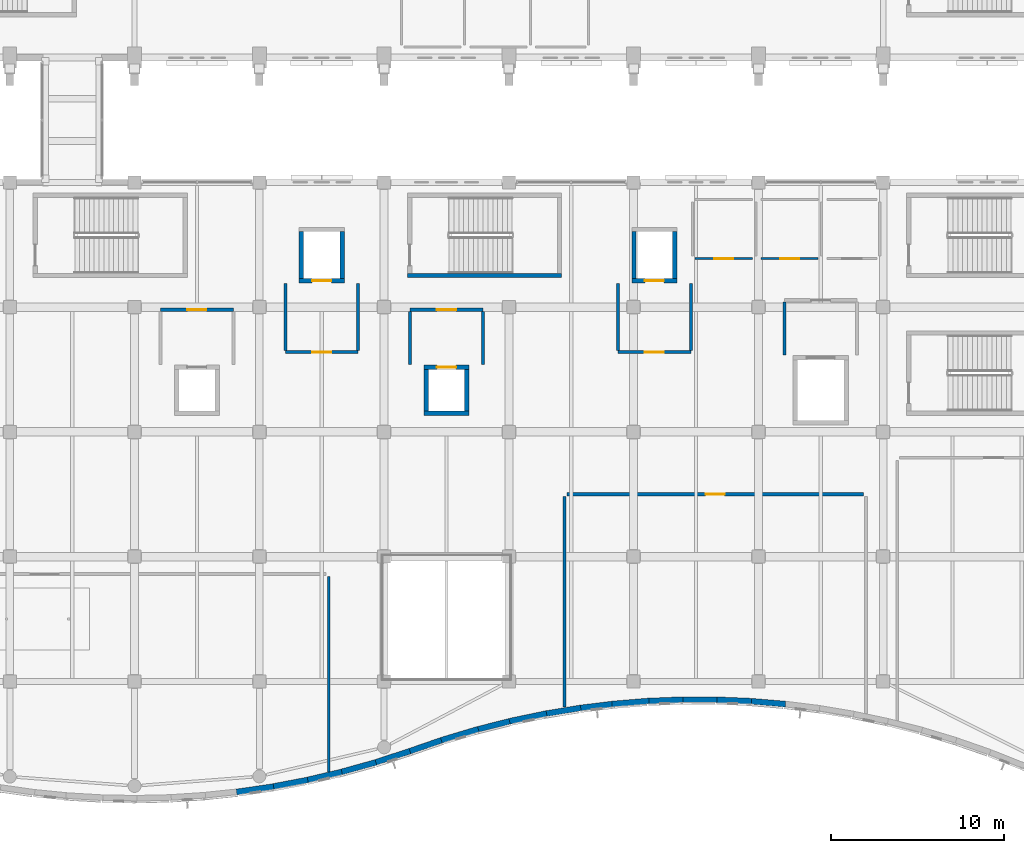
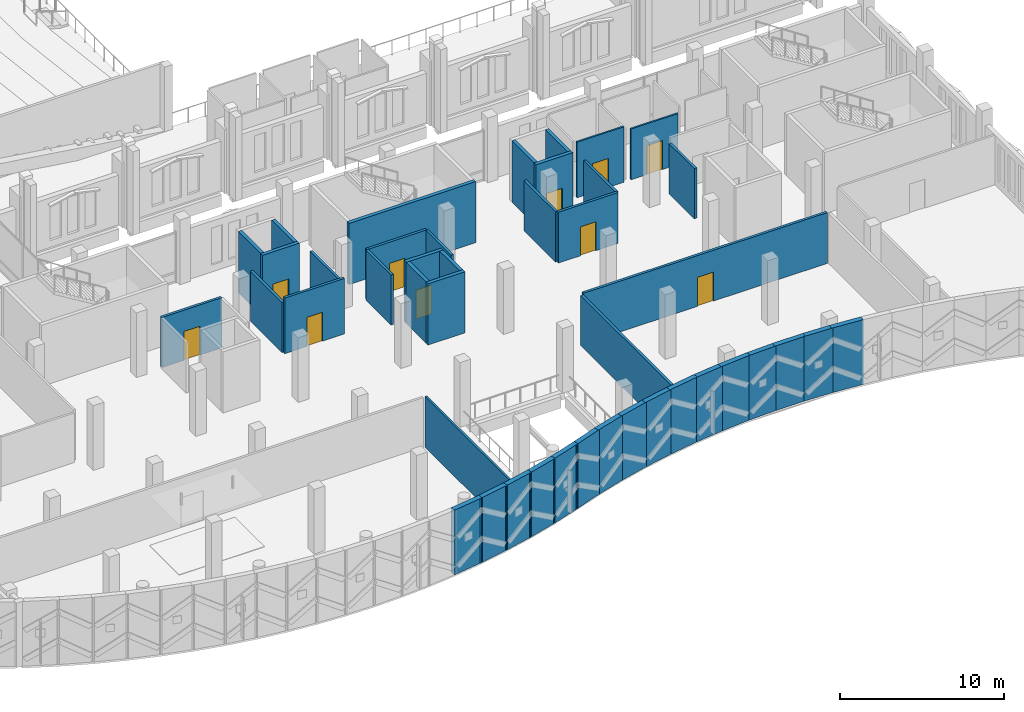
# One storey, part 141 of 193: 43 walls, 10 doors, 10 openings.
"""IFC4 building model written with IfcOpenShell, lengths in metres."""

from ifc_helpers import new_model, si_unit, direction, frame, frame_2d, origin, place, context, subcontext, project, spatial, rectangle, extrude, material, layer, layer_set, type_object, element, fill, save


model = new_model("IFC4")

# Units and contexts
model_context = context("Model", 3, precision=1e-05, world=origin(), true_north=direction((0.0, 1.0)))
body_context = subcontext(model_context, "Body", "Model", "MODEL_VIEW")
ifc_project = project(units=[si_unit("LENGTHUNIT", "METRE"), si_unit("AREAUNIT", "SQUARE_METRE"), si_unit("VOLUMEUNIT", "CUBIC_METRE"), si_unit("PLANEANGLEUNIT", "RADIAN"), si_unit("MASSUNIT", "GRAM", prefix="KILO")], contexts=[model_context])

# Site, building, storey
site_placement = place(None, origin())
site = spatial("IfcSite", under=ifc_project, at=site_placement, CompositionType="ELEMENT")
building_placement = place(site_placement, origin())
building = spatial("IfcBuilding", under=site, at=building_placement, Name="Cendralis Lancet Convention Centre", CompositionType="ELEMENT")
storey_placement = place(building_placement, frame((0.0, 0.0, 10.199951171875)))
storey = spatial("IfcBuildingStorey", under=building, at=storey_placement, Name="L02", CompositionType="ELEMENT", Elevation=10.199951171875)

# Walls
ifc_material_1 = material(Name="Buff sandstone ashlar and Concrete G40 (C40/50)", Category="masonry")
ifc_layer_1 = layer(ifc_material_1, 0.340087890625, Name="Buff sandstone ashlar and Concrete G40 (C40/50)")
ifc_layer_set_1 = layer_set([ifc_layer_1], Name="Buff sandstone ashlar and Concrete G40 (C40/50)")
wall_type_1 = type_object("IfcWallType", Name="ARC-EW-W340", PredefinedType="STANDARD", material=ifc_layer_set_1)
wall_1_placement = place(storey_placement, frame((159.48486328125, 0.816650390625, 0.0), z_axis=(0.0, 0.0, 1.0), x_axis=(0.989332324203, 0.145676189844, 0.0)))
element("IfcWall", 1, at=wall_1_placement, inside=storey, type_object=wall_type_1, Name="South Boulevard Wave Wall L02 WP-081-WP-082", PredefinedType="STANDARD", context=body_context, shape_type="SweptSolid", body=[
    extrude(rectangle(XDim=2.16015625, YDim=0.340087890625, at=frame_2d((1.080078125, 0.0))), origin(), (0.0, 0.0, 1.0), 4.800048828125),
])
wall_2_placement = place(storey_placement, frame((161.45458984375, 1.10302734375, 0.0), z_axis=(0.0, 0.0, 1.0), x_axis=(0.982343477653, 0.187086322089, 0.0)))
element("IfcWall", 2, at=wall_2_placement, inside=storey, type_object=wall_type_1, Name="South Boulevard Wave Wall L02 WP-082-WP-083", PredefinedType="STANDARD", context=body_context, shape_type="SweptSolid", body=[
    extrude(rectangle(XDim=2.17529296875, YDim=0.340087890625, at=frame_2d((1.087646484375, 0.0))), origin(), (0.0, 0.0, 1.0), 4.800048828125),
])
wall_3_placement = place(storey_placement, frame((163.42529296875, 1.474609375, 0.0), z_axis=(0.0, 0.0, 1.0), x_axis=(0.973669248069, 0.227965338076, 0.0)))
element("IfcWall", 3, at=wall_3_placement, inside=storey, type_object=wall_type_1, Name="South Boulevard Wave Wall L02 WP-083-WP-084", PredefinedType="STANDARD", context=body_context, shape_type="SweptSolid", body=[
    extrude(rectangle(XDim=2.192138671875, YDim=0.340087890625, at=frame_2d((1.09619140625, 0.0))), origin(), (0.0, 0.0, 1.0), 4.800048828125),
])
wall_4_placement = place(storey_placement, frame((165.39501953125, 1.93212890625, 0.0), z_axis=(0.0, 0.0, 1.0), x_axis=(0.963137862503, 0.269008285772, 0.0)))
element("IfcWall", 4, at=wall_4_placement, inside=storey, type_object=wall_type_1, Name="South Boulevard Wave Wall L02 WP-084-WP-085", PredefinedType="STANDARD", context=body_context, shape_type="SweptSolid", body=[
    extrude(rectangle(XDim=2.21435546875, YDim=0.340087890625, at=frame_2d((1.107177734375, 0.0))), origin(), (0.0, 0.0, 1.0), 4.800048828125),
])
wall_5_placement = place(storey_placement, frame((167.365234375, 2.478759765625, 0.0), z_axis=(0.0, 0.0, 1.0), x_axis=(0.950754268652, 0.309945673692, 0.0)))
element("IfcWall", 5, at=wall_5_placement, inside=storey, type_object=wall_type_1, Name="South Boulevard Wave Wall L02 WP-085-WP-086", PredefinedType="STANDARD", context=body_context, shape_type="SweptSolid", body=[
    extrude(rectangle(XDim=2.240966796875, YDim=0.340087890625, at=frame_2d((1.12060546875, 0.0))), origin(), (0.0, 0.0, 1.0), 4.800048828125),
])
wall_6_placement = place(storey_placement, frame((169.334716796875, 3.119384765625, 0.0), z_axis=(0.0, 0.0, 1.0), x_axis=(0.945416720516, 0.325863812916, 0.0)))
element("IfcWall", 6, at=wall_6_placement, inside=storey, type_object=wall_type_1, Name="South Boulevard Wave Wall L02 WP-086-WP-087", PredefinedType="STANDARD", context=body_context, shape_type="SweptSolid", body=[
    extrude(rectangle(XDim=2.253662109375, YDim=0.340087890625, at=frame_2d((1.126953125, 0.0))), origin(), (0.0, 0.0, 1.0), 4.800048828125),
])
wall_7_placement = place(storey_placement, frame((171.3037109375, 3.801513671875, 0.0), z_axis=(0.0, 0.0, 1.0), x_axis=(0.957895707977, 0.287116374731, 0.0)))
element("IfcWall", 7, at=wall_7_placement, inside=storey, type_object=wall_type_1, Name="South Boulevard Wave Wall L02 WP-087-WP-088", PredefinedType="STANDARD", context=body_context, shape_type="SweptSolid", body=[
    extrude(rectangle(XDim=2.225341796875, YDim=0.340087890625, at=frame_2d((1.11279296875, 0.0))), origin(), (0.0, 0.0, 1.0), 4.800048828125),
])
wall_8_placement = place(storey_placement, frame((173.271484375, 4.39501953125, 0.0), z_axis=(0.0, 0.0, 1.0), x_axis=(0.969229089559, 0.246160459767, 0.0)))
element("IfcWall", 8, at=wall_8_placement, inside=storey, type_object=wall_type_1, Name="South Boulevard Wave Wall L02 WP-088-WP-089", PredefinedType="STANDARD", context=body_context, shape_type="SweptSolid", body=[
    extrude(rectangle(XDim=2.201904296875, YDim=0.340087890625, at=frame_2d((1.10107421875, 0.0))), origin(), (0.0, 0.0, 1.0), 4.800048828125),
])
wall_9_placement = place(storey_placement, frame((175.23974609375, 4.898681640625, 0.0), z_axis=(0.0, 0.0, 1.0), x_axis=(0.978807841966, 0.20478087925, 0.0)))
element("IfcWall", 9, at=wall_9_placement, inside=storey, type_object=wall_type_1, Name="South Boulevard Wave Wall L02 WP-089-WP-090", PredefinedType="STANDARD", context=body_context, shape_type="SweptSolid", body=[
    extrude(rectangle(XDim=2.181640625, YDim=0.340087890625, at=frame_2d((1.0908203125, 0.0))), origin(), (0.0, 0.0, 1.0), 4.800048828125),
])
wall_10_placement = place(storey_placement, frame((177.2080078125, 5.314208984375, 0.0), z_axis=(0.0, 0.0, 1.0), x_axis=(0.986512410096, 0.163686483027, 0.0)))
element("IfcWall", 10, at=wall_10_placement, inside=storey, type_object=wall_type_1, Name="South Boulevard Wave Wall L02 WP-090-WP-091", PredefinedType="STANDARD", context=body_context, shape_type="SweptSolid", body=[
    extrude(rectangle(XDim=2.167236328125, YDim=0.340087890625, at=frame_2d((1.08349609375, 0.0))), origin(), (0.0, 0.0, 1.0), 4.800048828125),
])
wall_11_placement = place(storey_placement, frame((179.177490234375, 5.64453125, 0.0), z_axis=(0.0, 0.0, 1.0), x_axis=(0.992466764456, 0.122514168366, 0.0)))
element("IfcWall", 11, at=wall_11_placement, inside=storey, type_object=wall_type_1, Name="South Boulevard Wave Wall L02 WP-091-WP-092", PredefinedType="STANDARD", context=body_context, shape_type="SweptSolid", body=[
    extrude(rectangle(XDim=2.154052734375, YDim=0.340087890625, at=frame_2d((1.0771484375, 0.0))), origin(), (0.0, 0.0, 1.0), 4.800048828125),
])
wall_12_placement = place(storey_placement, frame((181.146240234375, 5.89111328125, 0.0), z_axis=(0.0, 0.0, 1.0), x_axis=(0.996638509986, 0.081924846123, 0.0)))
element("IfcWall", 12, at=wall_12_placement, inside=storey, type_object=wall_type_1, Name="South Boulevard Wave Wall L02 WP-092-WP-093", PredefinedType="STANDARD", context=body_context, shape_type="SweptSolid", body=[
    extrude(rectangle(XDim=2.145751953125, YDim=0.340087890625, at=frame_2d((1.07275390625, 0.0))), origin(), (0.0, 0.0, 1.0), 4.800048828125),
])
wall_13_placement = place(storey_placement, frame((183.114990234375, 6.056396484375, 0.0), z_axis=(0.0, 0.0, 1.0), x_axis=(0.999170801248, 0.040714984139, 0.0)))
element("IfcWall", 13, at=wall_13_placement, inside=storey, type_object=wall_type_1, Name="South Boulevard Wave Wall L02 WP-093-WP-094", PredefinedType="STANDARD", context=body_context, shape_type="SweptSolid", body=[
    extrude(rectangle(XDim=2.140625, YDim=0.340087890625, at=frame_2d((1.0703125, 0.0))), origin(), (0.0, 0.0, 1.0), 4.800048828125),
])
wall_14_placement = place(storey_placement, frame((185.083984375, 6.139892578125, 0.0), z_axis=(0.0, 0.0, 1.0), x_axis=(1.0, 0.0, 0.0)))
element("IfcWall", 14, at=wall_14_placement, inside=storey, type_object=wall_type_1, Name="South Boulevard Wave Wall L02 WP-094-WP-095", PredefinedType="STANDARD", context=body_context, shape_type="SweptSolid", body=[
    extrude(rectangle(XDim=2.138916015625, YDim=0.340087890625, at=frame_2d((1.0693359375, 0.0))), origin(), (0.0, 0.0, 1.0), 4.800048828125),
])
wall_15_placement = place(storey_placement, frame((187.052978515625, 6.1435546875, 0.0), z_axis=(0.0, 0.0, 1.0), x_axis=(0.999134060604, -0.041606837663, 0.0)))
element("IfcWall", 15, at=wall_15_placement, inside=storey, type_object=wall_type_1, Name="South Boulevard Wave Wall L02 WP-095-WP-096", PredefinedType="STANDARD", context=body_context, shape_type="SweptSolid", body=[
    extrude(rectangle(XDim=2.141845703125, YDim=0.340087890625, at=frame_2d((1.07080078125, 0.0))), origin(), (0.0, 0.0, 1.0), 4.800048828125),
])
wall_16_placement = place(storey_placement, frame((189.023193359375, 6.06494140625, 0.0), z_axis=(0.0, 0.0, 1.0), x_axis=(0.996591899747, -0.082489910642, 0.0)))
element("IfcWall", 16, at=wall_16_placement, inside=storey, type_object=wall_type_1, Name="South Boulevard Wave Wall L02 WP-096-WP-097", PredefinedType="STANDARD", context=body_context, shape_type="SweptSolid", body=[
    extrude(rectangle(XDim=2.145751953125, YDim=0.340087890625, at=frame_2d((1.07275390625, 0.0))), origin(), (0.0, 0.0, 1.0), 4.800048828125),
])

# Wall, opening, door
ifc_material_2 = material(Name="Acoustic fire-rated gypsum board on steel studs", Category="steel")
ifc_layer_2 = layer(ifc_material_2, 0.1201171875, Name="Acoustic fire-rated gypsum board on steel studs")
ifc_layer_set_2 = layer_set([ifc_layer_2], Name="Acoustic fire-rated gypsum board on steel studs")
wall_type_2 = type_object("IfcWallType", Name="ARC-IW-P120", PredefinedType="PARTITIONING", material=ifc_layer_set_2)
wall_17_placement = place(storey_placement, frame((185.949951171875, 31.60009765625, 0.0), z_axis=(0.0, 0.0, 1.0), x_axis=(1.0, 0.0, 0.0)))
wall_17 = element("IfcWall", 17, at=wall_17_placement, inside=storey, type_object=wall_type_2, Name="L02 Interior Partition IW-05 #0395", PredefinedType="PARTITIONING", context=body_context, shape_type="SweptSolid", body=[
    extrude(rectangle(XDim=3.300048828125, YDim=0.1201171875, at=frame_2d((1.64990234375, 0.0))), origin(), (0.0, 0.0, 1.0), 4.125),
])
opening_1_placement = place(wall_17_placement, frame((1.10009765625, 0.0, 0.0)))
opening_1 = element("IfcOpeningElement", 18, at=opening_1_placement, cuts=wall_17, Name="Opening FD-11", PredefinedType="OPENING", context=body_context, shape_type="SweptSolid", body=[
    extrude(rectangle(XDim=1.10009765625, YDim=2.14990234375, at=frame_2d((0.550048828125, 1.074951171875))), frame((0.0, 0.070068359375, 0.0), z_axis=(0.0, -1.0, 0.0), x_axis=(1.0, 0.0, 0.0)), (0.0, 0.0, 1.0), 0.14013671875),
])
ifc_material_3 = material(Name="Steel S355", Category="steel")
door_type_1 = type_object("IfcDoorType", Name="ARC-DR-FF11", OperationType="NOTDEFINED", PredefinedType="DOOR", material=ifc_material_3)
door_1_placement = place(opening_1_placement, frame((1.10009765625, 0.0, 0.0), z_axis=(0.0, 0.0, 1.0), x_axis=(-1.0, 0.0, 0.0)))
door_1 = element("IfcDoor", 19, at=door_1_placement, inside=storey, type_object=door_type_1, Name="L02-D025 L02 Interior Door FD-11 #0135", OperationType="SINGLE_SWING_LEFT", OverallHeight=2.14990234375, OverallWidth=1.10009765625, PredefinedType="DOOR", context=body_context, shape_type="SweptSolid", body=[
    extrude(rectangle(XDim=1.10009765625, YDim=2.14990234375, at=frame_2d((0.550048828125, 1.074951171875))), frame((0.0, 0.02490234375, 0.0), z_axis=(0.0, -1.0, 0.0), x_axis=(1.0, 0.0, 0.0)), (0.0, 0.0, 1.0), 0.050048828125),
])
fill(opening_1, door_1)

wall_18_placement = place(storey_placement, frame((189.75, 31.60009765625, 0.0), z_axis=(0.0, 0.0, 1.0), x_axis=(1.0, 0.0, 0.0)))
wall_18 = element("IfcWall", 20, at=wall_18_placement, inside=storey, type_object=wall_type_2, Name="L02 Interior Partition IW-05 #0399", PredefinedType="PARTITIONING", context=body_context, shape_type="SweptSolid", body=[
    extrude(rectangle(XDim=3.300048828125, YDim=0.1201171875, at=frame_2d((1.64990234375, 0.0))), origin(), (0.0, 0.0, 1.0), 3.775146484375),
])
opening_2_placement = place(wall_18_placement, frame((1.10009765625, 0.0, 0.0)))
opening_2 = element("IfcOpeningElement", 21, at=opening_2_placement, cuts=wall_18, Name="Opening FD-11", PredefinedType="OPENING", context=body_context, shape_type="SweptSolid", body=[
    extrude(rectangle(XDim=1.10009765625, YDim=2.14990234375, at=frame_2d((0.550048828125, 1.074951171875))), frame((0.0, 0.070068359375, 0.0), z_axis=(0.0, -1.0, 0.0), x_axis=(1.0, 0.0, 0.0)), (0.0, 0.0, 1.0), 0.14013671875),
])
door_2_placement = place(opening_2_placement, origin())
door_2 = element("IfcDoor", 22, at=door_2_placement, inside=storey, type_object=door_type_1, Name="L02-D026 L02 Interior Door FD-11 #0136", OperationType="SINGLE_SWING_RIGHT", OverallHeight=2.14990234375, OverallWidth=1.10009765625, PredefinedType="DOOR", context=body_context, shape_type="SweptSolid", body=[
    extrude(rectangle(XDim=1.10009765625, YDim=2.14990234375, at=frame_2d((0.550048828125, 1.074951171875))), frame((0.0, 0.02490234375, 0.0), z_axis=(0.0, -1.0, 0.0), x_axis=(1.0, 0.0, 0.0)), (0.0, 0.0, 1.0), 0.050048828125),
])
fill(opening_2, door_2)

# Wall
ifc_layer_3 = layer(ifc_material_2, 0.139892578125, Name="Acoustic fire-rated gypsum board on steel studs")
ifc_layer_set_3 = layer_set([ifc_layer_3], Name="Acoustic fire-rated gypsum board on steel studs")
wall_type_3 = type_object("IfcWallType", Name="ARC-IW-P140", PredefinedType="PARTITIONING", material=ifc_layer_set_3)
wall_19_placement = place(storey_placement, frame((164.800048828125, 1.9765625, 0.0), z_axis=(0.0, 0.0, 1.0), x_axis=(0.0, 1.0, 0.0)))
element("IfcWall", 23, at=wall_19_placement, inside=storey, type_object=wall_type_3, Name="L02 Interior Partition IW-04 #0387", PredefinedType="PARTITIONING", context=body_context, shape_type="SweptSolid", body=[
    extrude(rectangle(XDim=11.283447265625, YDim=0.139892578125, at=frame_2d((5.6416015625, 0.0))), origin(), (0.0, 0.0, 1.0), 3.775146484375),
])

# Wall, opening, door
ifc_layer_4 = layer(ifc_material_2, 0.179931640625, Name="Acoustic fire-rated gypsum board on steel studs")
ifc_layer_set_4 = layer_set([ifc_layer_4], Name="Acoustic fire-rated gypsum board on steel studs")
wall_type_4 = type_object("IfcWallType", Name="ARC-IW-P180", PredefinedType="PARTITIONING", material=ifc_layer_set_4)
wall_20_placement = place(storey_placement, frame((166.5, 26.199951171875, 0.0), z_axis=(0.0, 0.0, 1.0), x_axis=(-1.0, 0.0, 0.0)))
wall_20 = element("IfcWall", 24, at=wall_20_placement, inside=storey, type_object=wall_type_4, Name="L02 Firefighting Lift Lobby LF-01 Front Wall", PredefinedType="PARTITIONING", context=body_context, shape_type="SweptSolid", body=[
    extrude(rectangle(XDim=4.199951171875, YDim=0.179931640625, at=frame_2d((2.10009765625, 0.0))), origin(), (0.0, 0.0, 1.0), 4.125),
])
opening_3_placement = place(wall_20_placement, frame((1.550048828125, 0.0, 0.0)))
opening_3 = element("IfcOpeningElement", 25, at=opening_3_placement, cuts=wall_20, Name="Opening FD-11", PredefinedType="OPENING", context=body_context, shape_type="SweptSolid", body=[
    extrude(rectangle(XDim=1.10009765625, YDim=2.14990234375, at=frame_2d((0.550048828125, 1.074951171875))), frame((0.0, 0.099853515625, 0.0), z_axis=(0.0, -1.0, 0.0), x_axis=(1.0, 0.0, 0.0)), (0.0, 0.0, 1.0), 0.199951171875),
])
door_3_placement = place(opening_3_placement, origin())
door_3 = element("IfcDoor", 26, at=door_3_placement, inside=storey, type_object=door_type_1, Name="L02-D040 L02 Lift Lobby LF-01 Fire Door", OperationType="SINGLE_SWING_LEFT", OverallHeight=2.14990234375, OverallWidth=1.10009765625, PredefinedType="DOOR", context=body_context, shape_type="SweptSolid", body=[
    extrude(rectangle(XDim=1.10009765625, YDim=2.14990234375, at=frame_2d((0.550048828125, 1.074951171875))), frame((0.0, 0.02490234375, 0.0), z_axis=(0.0, -1.0, 0.0), x_axis=(1.0, 0.0, 0.0)), (0.0, 0.0, 1.0), 0.050048828125),
])
fill(opening_3, door_3)

# Walls
for number, where, z_axis, x_axis, name in (
    (27, (162.300048828125, 26.300048828125, 0.0), (0.0, 0.0, 1.0), (0.0, 1.0, 0.0), "L02 Lift Lobby LF-01 West Wall"),
    (28, (166.5, 26.300048828125, 0.0), (0.0, 0.0, 1.0), (0.0, 1.0, 0.0), "L02 Lift Lobby LF-01 East Wall"),
):
    element("IfcWall", number, at=place(storey_placement, frame(where, z_axis=z_axis, x_axis=x_axis)), inside=storey, type_object=wall_type_4, Name=name, PredefinedType="PARTITIONING", context=body_context, shape_type="SweptSolid", body=[
        extrude(rectangle(XDim=3.849853515625, YDim=0.179931640625, at=frame_2d((1.9248046875, 0.0))), origin(), (0.0, 0.0, 1.0), 3.72509765625),
    ])

# Wall, opening, door
wall_21_placement = place(storey_placement, frame((185.699951171875, 26.199951171875, 0.0), z_axis=(0.0, 0.0, 1.0), x_axis=(-1.0, 0.0, 0.0)))
wall_21 = element("IfcWall", 29, at=wall_21_placement, inside=storey, type_object=wall_type_4, Name="L02 Firefighting Lift Lobby LF-02 Front Wall", PredefinedType="PARTITIONING", context=body_context, shape_type="SweptSolid", body=[
    extrude(rectangle(XDim=4.199951171875, YDim=0.179931640625, at=frame_2d((2.10009765625, 0.0))), origin(), (0.0, 0.0, 1.0), 3.775146484375),
])
opening_4_placement = place(wall_21_placement, frame((1.550048828125, 0.0, 0.0)))
opening_4 = element("IfcOpeningElement", 30, at=opening_4_placement, cuts=wall_21, Name="Opening FD-11", PredefinedType="OPENING", context=body_context, shape_type="SweptSolid", body=[
    extrude(rectangle(XDim=1.10009765625, YDim=2.14990234375, at=frame_2d((0.550048828125, 1.074951171875))), frame((0.0, 0.099853515625, 0.0), z_axis=(0.0, -1.0, 0.0), x_axis=(1.0, 0.0, 0.0)), (0.0, 0.0, 1.0), 0.199951171875),
])
door_4_placement = place(opening_4_placement, origin())
door_4 = element("IfcDoor", 31, at=door_4_placement, inside=storey, type_object=door_type_1, Name="L02-D041 L02 Lift Lobby LF-02 Fire Door", OperationType="SINGLE_SWING_RIGHT", OverallHeight=2.14990234375, OverallWidth=1.10009765625, PredefinedType="DOOR", context=body_context, shape_type="SweptSolid", body=[
    extrude(rectangle(XDim=1.10009765625, YDim=2.14990234375, at=frame_2d((0.550048828125, 1.074951171875))), frame((0.0, 0.02490234375, 0.0), z_axis=(0.0, -1.0, 0.0), x_axis=(1.0, 0.0, 0.0)), (0.0, 0.0, 1.0), 0.050048828125),
])
fill(opening_4, door_4)

# Walls
for number, where, z_axis, x_axis, name in (
    (32, (181.5, 26.300048828125, 0.0), (0.0, 0.0, 1.0), (0.0, 1.0, 0.0), "L02 Lift Lobby LF-02 West Wall"),
    (33, (185.699951171875, 26.300048828125, 0.0), (0.0, 0.0, 1.0), (0.0, 1.0, 0.0), "L02 Lift Lobby LF-02 East Wall"),
):
    element("IfcWall", number, at=place(storey_placement, frame(where, z_axis=z_axis, x_axis=x_axis)), inside=storey, type_object=wall_type_4, Name=name, PredefinedType="PARTITIONING", context=body_context, shape_type="SweptSolid", body=[
        extrude(rectangle(XDim=3.849853515625, YDim=0.179931640625, at=frame_2d((1.9248046875, 0.0))), origin(), (0.0, 0.0, 1.0), 3.72509765625),
    ])

# Wall, opening, door
wall_22_placement = place(storey_placement, frame((155.10009765625, 28.64990234375, 0.0), z_axis=(0.0, 0.0, 1.0), x_axis=(1.0, 0.0, 0.0)))
wall_22 = element("IfcWall", 34, at=wall_22_placement, inside=storey, type_object=wall_type_4, Name="L02 Lift Lobby LP-01 Front Wall", PredefinedType="PARTITIONING", context=body_context, shape_type="SweptSolid", body=[
    extrude(rectangle(XDim=4.199951171875, YDim=0.179931640625, at=frame_2d((2.10009765625, 0.0))), origin(), (0.0, 0.0, 1.0), 3.72509765625),
])
opening_5_placement = place(wall_22_placement, frame((1.550048828125, 0.0, 0.0)))
opening_5 = element("IfcOpeningElement", 35, at=opening_5_placement, cuts=wall_22, Name="Opening FD-11", PredefinedType="OPENING", context=body_context, shape_type="SweptSolid", body=[
    extrude(rectangle(XDim=1.10009765625, YDim=2.14990234375, at=frame_2d((0.550048828125, 1.074951171875))), frame((0.0, 0.099853515625, 0.0), z_axis=(0.0, -1.0, 0.0), x_axis=(1.0, 0.0, 0.0)), (0.0, 0.0, 1.0), 0.199951171875),
])
door_5_placement = place(opening_5_placement, origin())
door_5 = element("IfcDoor", 36, at=door_5_placement, inside=storey, type_object=door_type_1, Name="L02-D045 L02 Lift Lobby LP-01 Fire Door", OperationType="SINGLE_SWING_LEFT", OverallHeight=2.14990234375, OverallWidth=1.10009765625, PredefinedType="DOOR", context=body_context, shape_type="SweptSolid", body=[
    extrude(rectangle(XDim=1.10009765625, YDim=2.14990234375, at=frame_2d((0.550048828125, 1.074951171875))), frame((0.0, 0.02490234375, 0.0), z_axis=(0.0, -1.0, 0.0), x_axis=(1.0, 0.0, 0.0)), (0.0, 0.0, 1.0), 0.050048828125),
])
fill(opening_5, door_5)

wall_23_placement = place(storey_placement, frame((169.5, 28.64990234375, 0.0), z_axis=(0.0, 0.0, 1.0), x_axis=(1.0, 0.0, 0.0)))
wall_23 = element("IfcWall", 37, at=wall_23_placement, inside=storey, type_object=wall_type_4, Name="L02 Lift Lobby LP-02 Front Wall", PredefinedType="PARTITIONING", context=body_context, shape_type="SweptSolid", body=[
    extrude(rectangle(XDim=4.199951171875, YDim=0.179931640625, at=frame_2d((2.10009765625, 0.0))), origin(), (0.0, 0.0, 1.0), 3.72509765625),
])
opening_6_placement = place(wall_23_placement, frame((1.550048828125, 0.0, 0.0)))
opening_6 = element("IfcOpeningElement", 38, at=opening_6_placement, cuts=wall_23, Name="Opening FD-11", PredefinedType="OPENING", context=body_context, shape_type="SweptSolid", body=[
    extrude(rectangle(XDim=1.10009765625, YDim=2.14990234375, at=frame_2d((0.550048828125, 1.074951171875))), frame((0.0, 0.099853515625, 0.0), z_axis=(0.0, -1.0, 0.0), x_axis=(1.0, 0.0, 0.0)), (0.0, 0.0, 1.0), 0.199951171875),
])
door_6_placement = place(opening_6_placement, origin())
door_6 = element("IfcDoor", 39, at=door_6_placement, inside=storey, type_object=door_type_1, Name="L02-D046 L02 Lift Lobby LP-02 Fire Door", OperationType="SINGLE_SWING_RIGHT", OverallHeight=2.14990234375, OverallWidth=1.10009765625, PredefinedType="DOOR", context=body_context, shape_type="SweptSolid", body=[
    extrude(rectangle(XDim=1.10009765625, YDim=2.14990234375, at=frame_2d((0.550048828125, 1.074951171875))), frame((0.0, 0.02490234375, 0.0), z_axis=(0.0, -1.0, 0.0), x_axis=(1.0, 0.0, 0.0)), (0.0, 0.0, 1.0), 0.050048828125),
])
fill(opening_6, door_6)

# Walls
for number, where, z_axis, x_axis, name in (
    (40, (169.5, 25.5, 0.0), (0.0, 0.0, 1.0), (0.0, 1.0, 0.0), "L02 Lift Lobby LP-02 West Wall"),
    (41, (173.699951171875, 25.5, 0.0), (0.0, 0.0, 1.0), (0.0, 1.0, 0.0), "L02 Lift Lobby LP-02 East Wall"),
    (42, (191.10009765625, 26.050048828125, 0.0), (0.0, 0.0, 1.0), (0.0, 1.0, 0.0), "L02 Lift Lobby LG-04 West Wall"),
):
    element("IfcWall", number, at=place(storey_placement, frame(where, z_axis=z_axis, x_axis=x_axis)), inside=storey, type_object=wall_type_4, Name=name, PredefinedType="PARTITIONING", context=body_context, shape_type="SweptSolid", body=[
        extrude(rectangle(XDim=3.050048828125, YDim=0.179931640625, at=frame_2d((1.52490234375, 0.0))), origin(), (0.0, 0.0, 1.0), 3.72509765625),
    ])
wall_24_placement = place(storey_placement, frame((178.39990234375, 5.712158203125, 0.0), z_axis=(0.0, 0.0, 1.0), x_axis=(0.0, 1.0, 0.0)))
element("IfcWall", 43, at=wall_24_placement, inside=storey, type_object=wall_type_4, Name="L02 Interior Partition IW-02 #0388", PredefinedType="PARTITIONING", context=body_context, shape_type="SweptSolid", body=[
    extrude(rectangle(XDim=12.14794921875, YDim=0.179931640625, at=frame_2d((6.073974609375, 0.0))), origin(), (0.0, 0.0, 1.0), 3.72509765625),
])

# Wall, opening, door
wall_25_placement = place(storey_placement, frame((178.5400390625, 18.0, 0.0), z_axis=(0.0, 0.0, 1.0), x_axis=(1.0, 0.0, 0.0)))
wall_25 = element("IfcWall", 44, at=wall_25_placement, inside=storey, type_object=wall_type_4, Name="L02 Interior Partition IW-02 #0389", PredefinedType="PARTITIONING", context=body_context, shape_type="SweptSolid", body=[
    extrude(rectangle(XDim=17.119873046875, YDim=0.179931640625, at=frame_2d((8.56005859375, 0.0))), origin(), (0.0, 0.0, 1.0), 3.775146484375),
])
opening_7_placement = place(wall_25_placement, frame((8.010009765625, 0.0, 0.0)))
opening_7 = element("IfcOpeningElement", 45, at=opening_7_placement, cuts=wall_25, Name="Opening FD-11", PredefinedType="OPENING", context=body_context, shape_type="SweptSolid", body=[
    extrude(rectangle(XDim=1.10009765625, YDim=2.14990234375, at=frame_2d((0.550048828125, 1.074951171875))), frame((0.0, 0.099853515625, 0.0), z_axis=(0.0, -1.0, 0.0), x_axis=(1.0, 0.0, 0.0)), (0.0, 0.0, 1.0), 0.199951171875),
])
door_7_placement = place(opening_7_placement, origin())
door_7 = element("IfcDoor", 46, at=door_7_placement, inside=storey, type_object=door_type_1, Name="L02-D022 L02 Interior Door FD-11 #0132", OperationType="SINGLE_SWING_LEFT", OverallHeight=2.14990234375, OverallWidth=1.10009765625, PredefinedType="DOOR", context=body_context, shape_type="SweptSolid", body=[
    extrude(rectangle(XDim=1.10009765625, YDim=2.14990234375, at=frame_2d((0.550048828125, 1.074951171875))), frame((0.0, 0.02490234375, 0.0), z_axis=(0.0, -1.0, 0.0), x_axis=(1.0, 0.0, 0.0)), (0.0, 0.0, 1.0), 0.050048828125),
])
fill(opening_7, door_7)

# Wall
ifc_material_4 = material(Name="Concrete G40 (C40/50)", Category="concrete")
ifc_layer_5 = layer(ifc_material_4, 0.25, Name="Concrete G40 (C40/50)")
ifc_layer_set_5 = layer_set([ifc_layer_5], Name="Concrete G40 (C40/50)")
wall_type_5 = type_object("IfcWallType", Name="STR-SW-CW250", PredefinedType="SHEAR", material=ifc_layer_set_5)
wall_26_placement = place(storey_placement, frame((169.35009765625, 30.625, 0.0), z_axis=(0.0, 0.0, 1.0), x_axis=(1.0, 0.0, 0.0)))
element("IfcWall", 47, at=wall_26_placement, inside=storey, type_object=wall_type_5, Name="L02 Stair Core ST-14 South Shear Wall", PredefinedType="SHEAR", context=body_context, shape_type="SweptSolid", body=[
    extrude(rectangle(XDim=8.89990234375, YDim=0.25, at=frame_2d((4.449951171875, 0.0))), origin(), (0.0, 0.0, 1.0), 4.5400390625),
])

# Wall, opening, door
wall_27_placement = place(storey_placement, frame((163.10009765625, 30.324951171875, 0.0), z_axis=(0.0, 0.0, 1.0), x_axis=(1.0, 0.0, 0.0)))
wall_27 = element("IfcWall", 48, at=wall_27_placement, inside=storey, type_object=wall_type_5, Name="L02 Lift LF-01 South Shaft Wall", PredefinedType="SHEAR", context=body_context, shape_type="SweptSolid", body=[
    extrude(rectangle(XDim=2.599853515625, YDim=0.25, at=frame_2d((1.2998046875, 0.0))), origin(), (0.0, 0.0, 1.0), 4.5400390625),
])
opening_8_placement = place(wall_27_placement, frame((0.75, 0.0, 0.0)))
opening_8 = element("IfcOpeningElement", 49, at=opening_8_placement, cuts=wall_27, Name="Opening LD-11", PredefinedType="OPENING", context=body_context, shape_type="SweptSolid", body=[
    extrude(rectangle(XDim=1.10009765625, YDim=2.14990234375, at=frame_2d((0.550048828125, 1.074951171875))), frame((0.0, 0.135009765625, 0.0), z_axis=(0.0, -1.0, 0.0), x_axis=(1.0, 0.0, 0.0)), (0.0, 0.0, 1.0), 0.27001953125),
])
ifc_material_5 = material(Name="Anodised bronze architectural aluminium", Category="aluminium")
door_type_2 = type_object("IfcDoorType", Name="ARC-DR-LD11", OperationType="NOTDEFINED", PredefinedType="DOOR", material=ifc_material_5)
door_8_placement = place(opening_8_placement, origin())
door_8 = element("IfcDoor", 50, at=door_8_placement, inside=storey, type_object=door_type_2, Name="L02-D028 L02 Lift LF-01 Sliding Landing Door", OperationType="SLIDING_TO_LEFT", OverallHeight=2.14990234375, OverallWidth=1.10009765625, PredefinedType="DOOR", context=body_context, shape_type="SweptSolid", body=[
    extrude(rectangle(XDim=1.10009765625, YDim=2.14990234375, at=frame_2d((0.550048828125, 1.074951171875))), frame((0.0, 0.02490234375, 0.0), z_axis=(0.0, -1.0, 0.0), x_axis=(1.0, 0.0, 0.0)), (0.0, 0.0, 1.0), 0.050048828125),
])
fill(opening_8, door_8)

# Walls
for number, where, z_axis, x_axis, name in (
    (51, (163.22509765625, 30.449951171875, 0.0), (0.0, 0.0, 1.0), (0.0, 1.0, 0.0), "L02 Lift LF-01 West Shaft Wall"),
    (52, (165.574951171875, 30.449951171875, 0.0), (0.0, 0.0, 1.0), (0.0, 1.0, 0.0), "L02 Lift LF-01 East Shaft Wall"),
):
    element("IfcWall", number, at=place(storey_placement, frame(where, z_axis=z_axis, x_axis=x_axis)), inside=storey, type_object=wall_type_5, Name=name, PredefinedType="SHEAR", context=body_context, shape_type="SweptSolid", body=[
        extrude(rectangle(XDim=2.699951171875, YDim=0.25, at=frame_2d((1.35009765625, 0.0))), origin(), (0.0, 0.0, 1.0), 4.5400390625),
    ])

# Wall, opening, door
wall_28_placement = place(storey_placement, frame((182.300048828125, 30.324951171875, 0.0), z_axis=(0.0, 0.0, 1.0), x_axis=(1.0, 0.0, 0.0)))
wall_28 = element("IfcWall", 53, at=wall_28_placement, inside=storey, type_object=wall_type_5, Name="L02 Lift LF-02 South Shaft Wall", PredefinedType="SHEAR", context=body_context, shape_type="SweptSolid", body=[
    extrude(rectangle(XDim=2.599853515625, YDim=0.25, at=frame_2d((1.2998046875, 0.0))), origin(), (0.0, 0.0, 1.0), 4.5400390625),
])
opening_9_placement = place(wall_28_placement, frame((0.75, 0.0, 0.0)))
opening_9 = element("IfcOpeningElement", 54, at=opening_9_placement, cuts=wall_28, Name="Opening LD-11", PredefinedType="OPENING", context=body_context, shape_type="SweptSolid", body=[
    extrude(rectangle(XDim=1.10009765625, YDim=2.14990234375, at=frame_2d((0.550048828125, 1.074951171875))), frame((0.0, 0.135009765625, 0.0), z_axis=(0.0, -1.0, 0.0), x_axis=(1.0, 0.0, 0.0)), (0.0, 0.0, 1.0), 0.27001953125),
])
door_9_placement = place(opening_9_placement, origin())
door_9 = element("IfcDoor", 55, at=door_9_placement, inside=storey, type_object=door_type_2, Name="L02-D029 L02 Lift LF-02 Sliding Landing Door", OperationType="SLIDING_TO_RIGHT", OverallHeight=2.14990234375, OverallWidth=1.10009765625, PredefinedType="DOOR", context=body_context, shape_type="SweptSolid", body=[
    extrude(rectangle(XDim=1.10009765625, YDim=2.14990234375, at=frame_2d((0.550048828125, 1.074951171875))), frame((0.0, 0.02490234375, 0.0), z_axis=(0.0, -1.0, 0.0), x_axis=(1.0, 0.0, 0.0)), (0.0, 0.0, 1.0), 0.050048828125),
])
fill(opening_9, door_9)

# Walls
for number, where, z_axis, x_axis, name in (
    (56, (182.425048828125, 30.449951171875, 0.0), (0.0, 0.0, 1.0), (0.0, 1.0, 0.0), "L02 Lift LF-02 West Shaft Wall"),
    (57, (184.77490234375, 30.449951171875, 0.0), (0.0, 0.0, 1.0), (0.0, 1.0, 0.0), "L02 Lift LF-02 East Shaft Wall"),
):
    element("IfcWall", number, at=place(storey_placement, frame(where, z_axis=z_axis, x_axis=x_axis)), inside=storey, type_object=wall_type_5, Name=name, PredefinedType="SHEAR", context=body_context, shape_type="SweptSolid", body=[
        extrude(rectangle(XDim=2.699951171875, YDim=0.25, at=frame_2d((1.35009765625, 0.0))), origin(), (0.0, 0.0, 1.0), 4.5400390625),
    ])
wall_29_placement = place(storey_placement, frame((170.300048828125, 22.675048828125, 0.0), z_axis=(0.0, 0.0, 1.0), x_axis=(1.0, 0.0, 0.0)))
element("IfcWall", 58, at=wall_29_placement, inside=storey, type_object=wall_type_5, Name="L02 Lift LP-02 South Shaft Wall", PredefinedType="SHEAR", context=body_context, shape_type="SweptSolid", body=[
    extrude(rectangle(XDim=2.599853515625, YDim=0.25, at=frame_2d((1.2998046875, 0.0))), origin(), (0.0, 0.0, 1.0), 4.5400390625),
])

# Wall, opening, door
wall_30_placement = place(storey_placement, frame((170.300048828125, 25.324951171875, 0.0), z_axis=(0.0, 0.0, 1.0), x_axis=(1.0, 0.0, 0.0)))
wall_30 = element("IfcWall", 59, at=wall_30_placement, inside=storey, type_object=wall_type_5, Name="L02 Lift LP-02 North Shaft Wall", PredefinedType="SHEAR", context=body_context, shape_type="SweptSolid", body=[
    extrude(rectangle(XDim=2.599853515625, YDim=0.25, at=frame_2d((1.2998046875, 0.0))), origin(), (0.0, 0.0, 1.0), 4.5400390625),
])
opening_10_placement = place(wall_30_placement, frame((0.75, 0.0, 0.0)))
opening_10 = element("IfcOpeningElement", 60, at=opening_10_placement, cuts=wall_30, Name="Opening LD-11", PredefinedType="OPENING", context=body_context, shape_type="SweptSolid", body=[
    extrude(rectangle(XDim=1.10009765625, YDim=2.14990234375, at=frame_2d((0.550048828125, 1.074951171875))), frame((0.0, 0.135009765625, 0.0), z_axis=(0.0, -1.0, 0.0), x_axis=(1.0, 0.0, 0.0)), (0.0, 0.0, 1.0), 0.27001953125),
])
door_10_placement = place(opening_10_placement, origin())
door_10 = element("IfcDoor", 61, at=door_10_placement, inside=storey, type_object=door_type_2, Name="L02-D034 L02 Lift LP-02 Sliding Landing Door", OperationType="SLIDING_TO_RIGHT", OverallHeight=2.14990234375, OverallWidth=1.10009765625, PredefinedType="DOOR", context=body_context, shape_type="SweptSolid", body=[
    extrude(rectangle(XDim=1.10009765625, YDim=2.14990234375, at=frame_2d((0.550048828125, 1.074951171875))), frame((0.0, 0.02490234375, 0.0), z_axis=(0.0, -1.0, 0.0), x_axis=(1.0, 0.0, 0.0)), (0.0, 0.0, 1.0), 0.050048828125),
])
fill(opening_10, door_10)

# Walls
for number, where, z_axis, x_axis, name in (
    (62, (170.425048828125, 22.800048828125, 0.0), (0.0, 0.0, 1.0), (0.0, 1.0, 0.0), "L02 Lift LP-02 West Shaft Wall"),
    (63, (172.77490234375, 22.800048828125, 0.0), (0.0, 0.0, 1.0), (0.0, 1.0, 0.0), "L02 Lift LP-02 East Shaft Wall"),
):
    element("IfcWall", number, at=place(storey_placement, frame(where, z_axis=z_axis, x_axis=x_axis)), inside=storey, type_object=wall_type_5, Name=name, PredefinedType="SHEAR", context=body_context, shape_type="SweptSolid", body=[
        extrude(rectangle(XDim=2.39990234375, YDim=0.25, at=frame_2d((1.199951171875, 0.0))), origin(), (0.0, 0.0, 1.0), 4.5400390625),
    ])

save(model, "model.ifc")
